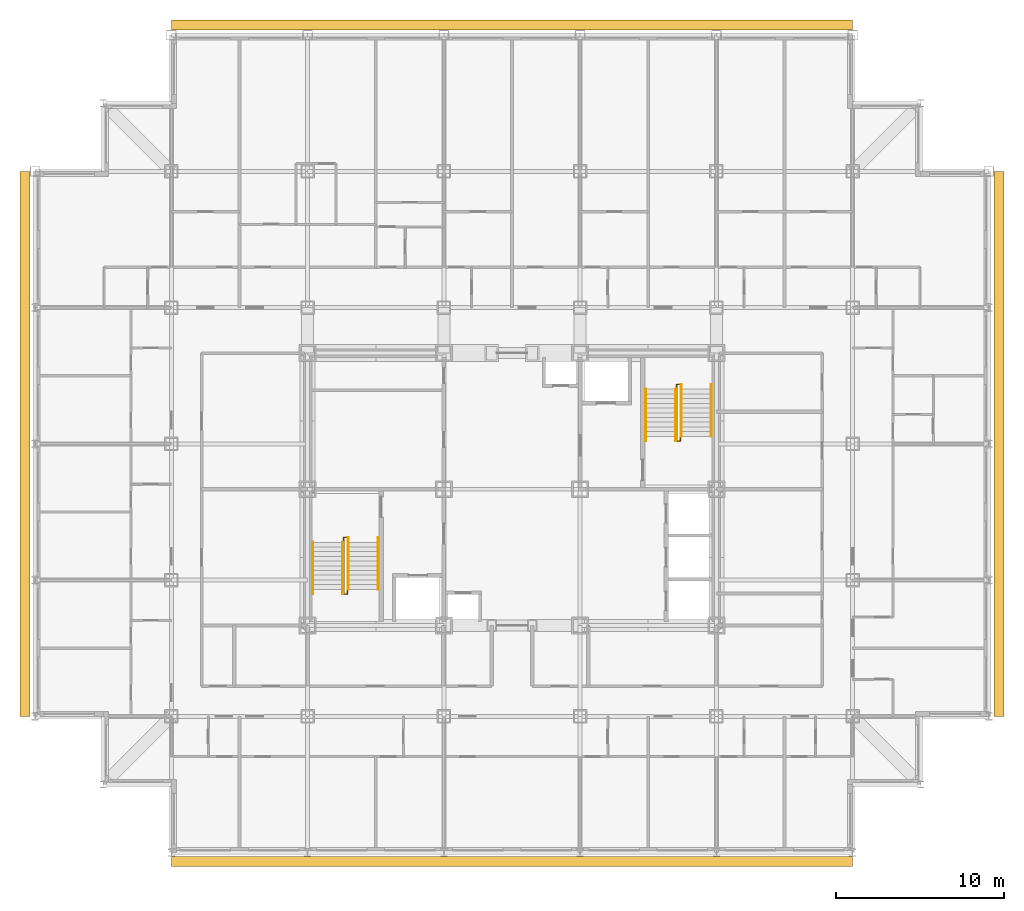
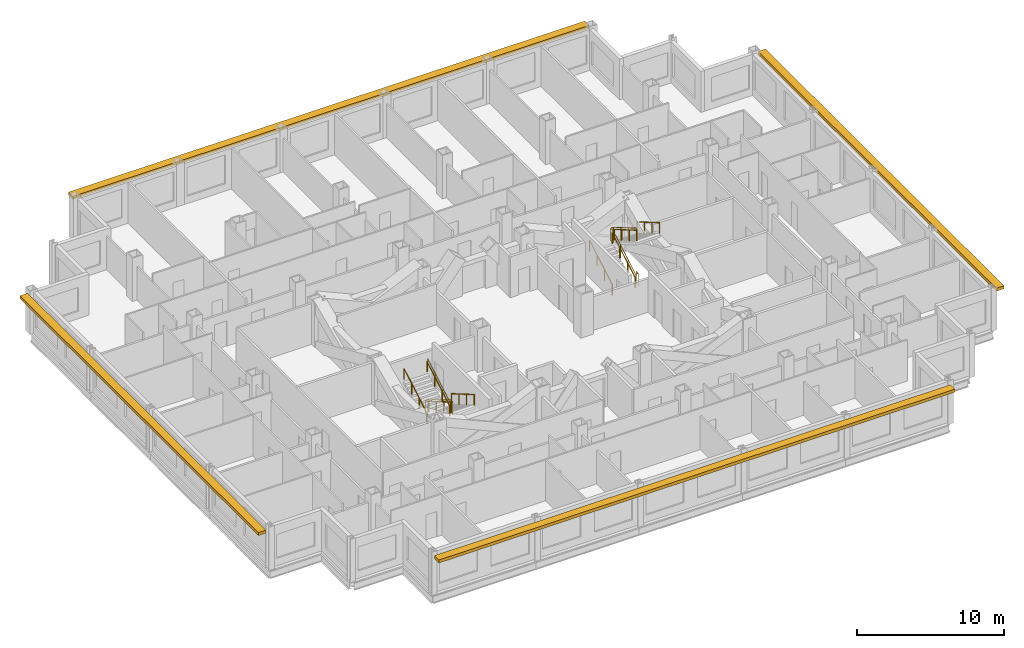
# One storey, part 12 of 12: 10 railings, 4 shading devices.
"""IFC4 building model written with IfcOpenShell, lengths in metres."""

import ifcopenshell
import ifcopenshell.guid

model = None  # the IFC model being written
_history = None  # IfcOwnerHistory: only IFC2X3 demands one
_inside = {}  # id of a spatial element -> (the spatial element, [elements in it])
_under = {}  # id of a project, library or spatial element -> (it, [spatial elements below it])
_declared = {}  # id of a project -> (the project, [libraries it declares])
_typed = {}  # id of a type object -> (the type object, [elements of that type])
_made_of = {}  # id of a material, layer set ... -> (it, [elements and type objects made of it])


def new_model(schema):
    """Start an empty IFC model of exactly this schema.

    Asked for "IFC4X3", IfcOpenShell would pick the latest addendum, in which some entities
    have other attributes; the version numbers below select the first issue.
    IFC2X3 requires an IfcOwnerHistory on every rooted entity: one is made here for all.
    """
    global model, _history
    if schema == "IFC4X3":
        model = ifcopenshell.file(schema_version=(4, 3, 0, 0))
    else:
        model = ifcopenshell.file(schema=schema)
    _inside.clear()
    _under.clear()
    _declared.clear()
    _typed.clear()
    _made_of.clear()
    _history = None
    if model.schema == "IFC2X3":
        org = make("IfcOrganization", Name="unknown")
        user = make(
            "IfcPersonAndOrganization",
            ThePerson=make("IfcPerson", FamilyName="unknown"),
            TheOrganization=org,
        )
        app = make(
            "IfcApplication",
            ApplicationDeveloper=org,
            Version="unknown",
            ApplicationFullName="unknown",
            ApplicationIdentifier="unknown",
        )
        _history = make(
            "IfcOwnerHistory",
            OwningUser=user,
            OwningApplication=app,
            ChangeAction="ADDED",
            CreationDate=0,
        )
    return model


def make(cls, **values):
    """One entity of the class cls with the attributes given. An attribute that is None is left unset."""
    return model.create_entity(
        cls, **{name: value for name, value in values.items() if value is not None}
    )


def rooted(cls, **values):
    """An entity with a GlobalId (a new one), such as an element, a storey or a relation."""
    return make(cls, GlobalId=ifcopenshell.guid.new(), OwnerHistory=_history, **values)


def si_unit(unit_type, name, prefix=None):
    """IfcSIUnit, for example si_unit("LENGTHUNIT", "METRE", prefix="MILLI")."""
    return make("IfcSIUnit", UnitType=unit_type, Prefix=prefix, Name=name)


def assignment(units):
    """IfcUnitAssignment: the units of a project."""
    return None if units is None else make("IfcUnitAssignment", Units=units)


def point(xyz):
    """IfcCartesianPoint."""
    return None if xyz is None else make("IfcCartesianPoint", Coordinates=xyz)


def direction(xyz):
    """IfcDirection."""
    return None if xyz is None else make("IfcDirection", DirectionRatios=xyz)


def frame(location, z_axis=None, x_axis=None):
    """IfcAxis2Placement3D, a coordinate frame: its origin and axes. An axis left out is left unset."""
    return make(
        "IfcAxis2Placement3D",
        Location=point(location),
        Axis=direction(z_axis),
        RefDirection=direction(x_axis),
    )


def frame_2d(location, x_axis=None):
    """IfcAxis2Placement2D, a coordinate frame in the plane: its origin and x axis."""
    return make(
        "IfcAxis2Placement2D", Location=point(location), RefDirection=direction(x_axis)
    )


def origin():
    """The frame at (0, 0, 0) with its axes left unset."""
    return frame((0.0, 0.0, 0.0))


def origin_2d():
    """The frame at (0, 0) in the plane with its x axis left unset."""
    return frame_2d((0.0, 0.0))


def place(relative_to, where):
    """IfcLocalPlacement: puts the frame where relative to a parent placement (None: the world)."""
    return make(
        "IfcLocalPlacement", PlacementRelTo=relative_to, RelativePlacement=where
    )


def context(
    kind, dimensions, precision=None, world=None, true_north=None, identifier=None
):
    """IfcGeometricRepresentationContext, for example the 3D "Model" context."""
    return make(
        "IfcGeometricRepresentationContext",
        ContextIdentifier=identifier,
        ContextType=kind,
        CoordinateSpaceDimension=dimensions,
        Precision=precision,
        WorldCoordinateSystem=world,
        TrueNorth=true_north,
    )


def subcontext(parent, identifier, kind, view, scale=None):
    """IfcGeometricRepresentationSubContext, for example "Body" below "Model"."""
    return make(
        "IfcGeometricRepresentationSubContext",
        ContextIdentifier=identifier,
        ContextType=kind,
        ParentContext=parent,
        TargetScale=scale,
        TargetView=view,
    )


def project(units=None, contexts=None):
    """IfcProject with its units and contexts."""
    return rooted(
        "IfcProject",
        Name="project",
        RepresentationContexts=contexts,
        UnitsInContext=assignment(units),
    )


def spatial(cls, under=None, at=None, **own):
    """A site, building, storey or space (cls), placed at a placement, below another one or the project."""
    s = rooted(cls, ObjectPlacement=at, **own)
    if under is not None:
        _under.setdefault(under.id(), (under, []))[1].append(s)
    return s


def profile(cls, at=None, kind="AREA", **sizes):
    """A parametric profile (cls). Its sizes go by their IFC names, for example OverallWidth=200.0."""
    return make(cls, ProfileType=kind, Position=at, **sizes)


def rectangle(**sizes):
    """IfcRectangleProfileDef."""
    return profile("IfcRectangleProfileDef", **sizes)


def circle(**sizes):
    """IfcCircleProfileDef."""
    return profile("IfcCircleProfileDef", **sizes)


def extrude(swept, where, along, depth):
    """IfcExtrudedAreaSolid: the profile swept, set in the frame where, extruded along a direction by depth."""
    return make(
        "IfcExtrudedAreaSolid",
        SweptArea=swept,
        Position=where,
        ExtrudedDirection=direction(along),
        Depth=depth,
    )


def shape(context_of_items, identifier, shape_type, items):
    """IfcShapeRepresentation: the items that make up one representation, for example the "Body"."""
    return make(
        "IfcShapeRepresentation",
        ContextOfItems=context_of_items,
        RepresentationIdentifier=identifier,
        RepresentationType=shape_type,
        Items=items,
    )


def material(Name=None, Category=None):
    """IfcMaterial."""
    return make("IfcMaterial", Name=Name, Category=Category)


def made_of(thing, what):
    """Note that an element or type object is made of a material, layer set ...; save() writes the relation."""
    if what is not None:
        _made_of.setdefault(what.id(), (what, []))[1].append(thing)
    return thing


def type_object(cls, material=None, **own):
    """A type object (cls), such as IfcWallType, which elements share."""
    return made_of(rooted(cls, **own), material)


def element(
    cls,
    number,
    at=None,
    inside=None,
    cuts=None,
    type_object=None,
    material=None,
    context=None,
    identifier="Body",
    shape_type=None,
    held_by="IfcProductDefinitionShape",
    body=None,
    shapes=None,
    **own,
):
    """One element of the class cls, such as IfcWall. Its Tag is "e" and its number.

    at: its placement. inside: the storey or other place that contains it. cuts: it is an
    opening in that element (IfcRelVoidsElement). A single representation is given by context,
    identifier, shape_type and body (its items); several are given by shapes. held_by: the class
    of the entity that holds the representations. save() writes the other relations.
    """
    e = rooted(cls, Tag="e%d" % number, ObjectPlacement=at, **own)
    if body is not None:
        shapes = [shape(context, identifier, shape_type, body)]
    if shapes is not None:
        e.Representation = make(held_by, Representations=shapes)
    if inside is not None:
        _inside.setdefault(inside.id(), (inside, []))[1].append(e)
    if cuts is not None:
        rooted(
            "IfcRelVoidsElement", RelatingBuildingElement=cuts, RelatedOpeningElement=e
        )
    if type_object is not None:
        _typed.setdefault(type_object.id(), (type_object, []))[1].append(e)
    return made_of(e, material)


def aggregate(whole, parts):
    """IfcRelAggregates: a whole, such as a stair, and the parts it consists of."""
    return rooted("IfcRelAggregates", RelatingObject=whole, RelatedObjects=parts)


def save(model, path):
    """Write the relations noted so far, then the file.

    IfcRelAggregates (storeys below a building ...), IfcRelContainedInSpatialStructure (elements
    in a storey), IfcRelDefinesByType, IfcRelAssociatesMaterial and IfcRelDeclares: one each for
    every whole, place, type object, material and project.
    """
    for whole, parts in _under.values():
        aggregate(whole, parts)
    for where, things in _inside.values():
        rooted(
            "IfcRelContainedInSpatialStructure",
            RelatedElements=things,
            RelatingStructure=where,
        )
    for kind, things in _typed.values():
        rooted("IfcRelDefinesByType", RelatedObjects=things, RelatingType=kind)
    for what, things in _made_of.values():
        rooted("IfcRelAssociatesMaterial", RelatedObjects=things, RelatingMaterial=what)
    for by, libraries in _declared.values():
        rooted("IfcRelDeclares", RelatingContext=by, RelatedDefinitions=libraries)
    model.write(path)


model = new_model("IFC4")

# Units and contexts
model_context = context("Model", 3, precision=1e-05, world=origin(), true_north=direction((0.0, 1.0)))
body_context = subcontext(model_context, "Body", "Model", "MODEL_VIEW")
ifc_project = project(units=[si_unit("LENGTHUNIT", "METRE"), si_unit("AREAUNIT", "SQUARE_METRE"), si_unit("VOLUMEUNIT", "CUBIC_METRE"), si_unit("PLANEANGLEUNIT", "RADIAN"), si_unit("MASSUNIT", "GRAM", prefix="KILO")], contexts=[model_context])

# Site, building, storey
site_placement = place(None, origin())
site = spatial("IfcSite", under=ifc_project, at=site_placement, CompositionType="ELEMENT")
building_placement = place(site_placement, origin())
building = spatial("IfcBuilding", under=site, at=building_placement, Name="Kopane Lantern Tower", CompositionType="ELEMENT")
storey_placement = place(building_placement, frame((0.0, 0.0, 195.60009765625)))
storey = spatial("IfcBuildingStorey", under=building, at=storey_placement, Name="L50", CompositionType="ELEMENT", Elevation=195.60009765625)

# Railings
ifc_material_1 = material(Name="Steel", Category="steel")
railing_type_1 = type_object("IfcRailingType", Name="STAIR GUARD 1100", PredefinedType="GUARDRAIL", material=ifc_material_1)
railing_1_placement = place(storey_placement, frame((18.35009765625, 29.25, 0.0)))
element("IfcRailing", 1, at=railing_1_placement, inside=storey, type_object=railing_type_1, Name="ST1 well guard L50", PredefinedType="GUARDRAIL", context=body_context, shape_type="SweptSolid", body=[
    extrude(circle(Radius=0.02392578125, at=origin_2d()), frame((0.0, 0.0, 1.076171875), z_axis=(0.0, 1.0, 0.0), x_axis=(-1.0, 0.0, 0.0)), (0.0, 0.0, 1.0), 0.280029296875),
    extrude(circle(Radius=0.02392578125, at=origin_2d()), frame((0.0, 0.280029296875, 1.076171875), z_axis=(1.0, 0.0, 0.0), x_axis=(0.0, 1.0, 0.0)), (0.0, 0.0, 1.0), 0.199951171875),
    extrude(circle(Radius=0.02392578125, at=origin_2d()), frame((0.199951171875, 0.280029296875, 1.076171875), z_axis=(0.0, -0.863401368682, 0.504517667242), x_axis=(1.0, 0.0, 0.0)), (0.0, 0.0, 1.0), 3.5673828125),
    extrude(circle(Radius=0.02392578125, at=origin_2d()), frame((0.199951171875, -2.800048828125, 2.8759765625), z_axis=(0.0, -1.0, 0.0), x_axis=(1.0, 0.0, 0.0)), (0.0, 0.0, 1.0), 0.280029296875),
    extrude(circle(Radius=0.02392578125, at=origin_2d()), frame((0.199951171875, -3.080078125, 2.8759765625), z_axis=(-1.0, 0.0, 0.0), x_axis=(0.0, -1.0, 0.0)), (0.0, 0.0, 1.0), 0.199951171875),
    extrude(circle(Radius=0.02392578125, at=origin_2d()), frame((0.0, -3.080078125, 2.8759765625), z_axis=(0.0, 0.863371556955, 0.504568681787), x_axis=(-1.0, 0.0, 0.0)), (0.0, 0.0, 1.0), 3.5673828125),
    extrude(circle(Radius=0.02099609375, at=origin_2d()), origin(), (0.0, 0.0, 1.0), 1.052001953125),
    extrude(circle(Radius=0.02099609375, at=origin_2d()), frame((0.0, 0.280029296875, 0.0)), (0.0, 0.0, 1.0), 1.052001953125),
    extrude(circle(Radius=0.02099609375, at=origin_2d()), frame((0.199951171875, 0.280029296875, 0.0)), (0.0, 0.0, 1.0), 1.052001953125),
    extrude(circle(Radius=0.02099609375, at=origin_2d()), frame((0.199951171875, -0.74658203125, 0.599853515625)), (0.0, 0.0, 1.0), 1.052001953125),
    extrude(circle(Radius=0.02099609375, at=origin_2d()), frame((0.199951171875, -1.7734375, 1.199951171875)), (0.0, 0.0, 1.0), 1.052001953125),
    extrude(circle(Radius=0.02099609375, at=origin_2d()), frame((0.199951171875, -2.800048828125, 1.7998046875)), (0.0, 0.0, 1.0), 1.052001953125),
    extrude(circle(Radius=0.02099609375, at=origin_2d()), frame((0.199951171875, -3.080078125, 1.7998046875)), (0.0, 0.0, 1.0), 1.052001953125),
    extrude(circle(Radius=0.02099609375, at=origin_2d()), frame((0.0, -3.080078125, 1.7998046875)), (0.0, 0.0, 1.0), 1.052001953125),
    extrude(circle(Radius=0.02099609375, at=origin_2d()), frame((0.0, -2.053466796875, 2.39990234375)), (0.0, 0.0, 1.0), 1.052001953125),
    extrude(circle(Radius=0.02099609375, at=origin_2d()), frame((0.0, -1.026611328125, 2.999755859375)), (0.0, 0.0, 1.0), 1.052001953125),
    extrude(circle(Radius=0.02099609375, at=origin_2d()), frame((0.0, 0.0, 3.599853515625)), (0.0, 0.0, 1.0), 1.052001953125),
])
railing_2_placement = place(storey_placement, frame((38.35009765625, 35.550048828125, 0.0)))
element("IfcRailing", 2, at=railing_2_placement, inside=storey, type_object=railing_type_1, Name="ST2 well guard L50", PredefinedType="GUARDRAIL", context=body_context, shape_type="SweptSolid", body=[
    extrude(circle(Radius=0.02392578125, at=origin_2d()), frame((0.0, 0.0, 1.076171875), z_axis=(0.0, -1.0, 0.0), x_axis=(1.0, 0.0, 0.0)), (0.0, 0.0, 1.0), 0.280029296875),
    extrude(circle(Radius=0.02392578125, at=origin_2d()), frame((0.0, -0.280029296875, 1.076171875), z_axis=(-1.0, 0.0, 0.0), x_axis=(0.0, -1.0, 0.0)), (0.0, 0.0, 1.0), 0.2001953125),
    extrude(circle(Radius=0.02392578125, at=origin_2d()), frame((-0.2001953125, -0.280029296875, 1.076171875), z_axis=(0.0, 0.863401368682, 0.504517667242), x_axis=(-1.0, 0.0, 0.0)), (0.0, 0.0, 1.0), 3.5673828125),
    extrude(circle(Radius=0.02392578125, at=origin_2d()), frame((-0.2001953125, 2.800048828125, 2.8759765625), z_axis=(0.0, 1.0, 0.0), x_axis=(-1.0, 0.0, 0.0)), (0.0, 0.0, 1.0), 0.27978515625),
    extrude(circle(Radius=0.02392578125, at=origin_2d()), frame((-0.2001953125, 3.079833984375, 2.8759765625), z_axis=(1.0, 0.0, 0.0), x_axis=(0.0, 1.0, 0.0)), (0.0, 0.0, 1.0), 0.2001953125),
    extrude(circle(Radius=0.02392578125, at=origin_2d()), frame((0.0, 3.079833984375, 2.8759765625), z_axis=(0.0, -0.863354132664, 0.504598495452), x_axis=(1.0, 0.0, 0.0)), (0.0, 0.0, 1.0), 3.5673828125),
    extrude(circle(Radius=0.02099609375, at=origin_2d()), origin(), (0.0, 0.0, 1.0), 1.052001953125),
    extrude(circle(Radius=0.02099609375, at=origin_2d()), frame((0.0, -0.280029296875, 0.0)), (0.0, 0.0, 1.0), 1.052001953125),
    extrude(circle(Radius=0.02099609375, at=origin_2d()), frame((-0.2001953125, -0.280029296875, 0.0)), (0.0, 0.0, 1.0), 1.052001953125),
    extrude(circle(Radius=0.02099609375, at=origin_2d()), frame((-0.2001953125, 0.74658203125, 0.599853515625)), (0.0, 0.0, 1.0), 1.052001953125),
    extrude(circle(Radius=0.02099609375, at=origin_2d()), frame((-0.2001953125, 1.7734375, 1.199951171875)), (0.0, 0.0, 1.0), 1.052001953125),
    extrude(circle(Radius=0.02099609375, at=origin_2d()), frame((-0.2001953125, 2.800048828125, 1.7998046875)), (0.0, 0.0, 1.0), 1.052001953125),
    extrude(circle(Radius=0.02099609375, at=origin_2d()), frame((-0.2001953125, 3.079833984375, 1.7998046875)), (0.0, 0.0, 1.0), 1.052001953125),
    extrude(circle(Radius=0.02099609375, at=origin_2d()), frame((0.0, 3.079833984375, 1.7998046875)), (0.0, 0.0, 1.0), 1.052001953125),
    extrude(circle(Radius=0.02099609375, at=origin_2d()), frame((0.0, 2.05322265625, 2.39990234375)), (0.0, 0.0, 1.0), 1.052001953125),
    extrude(circle(Radius=0.02099609375, at=origin_2d()), frame((0.0, 1.026611328125, 2.999755859375)), (0.0, 0.0, 1.0), 1.052001953125),
    extrude(circle(Radius=0.02099609375, at=origin_2d()), frame((0.0, 0.0, 3.599853515625)), (0.0, 0.0, 1.0), 1.052001953125),
])
ifc_material_2 = material(Name="Steel", Category="steel")
railing_type_2 = type_object("IfcRailingType", Name="STAIR HANDRAIL 900", PredefinedType="HANDRAIL", material=ifc_material_2)
for number, where, name in (
    (3, (20.389892578125, 29.530029296875, 0.0), "ST1 handrail L50 flight 1"),
    (4, (18.610107421875, 29.530029296875, 0.0), "ST1 handrail L50 flight 1"),
):
    element("IfcRailing", number, at=place(storey_placement, frame(where)), inside=storey, type_object=railing_type_2, Name=name, PredefinedType="HANDRAIL", context=body_context, shape_type="SweptSolid", body=[
        extrude(circle(Radius=0.02392578125, at=origin_2d()), frame((0.0, 0.0, 0.8759765625), z_axis=(0.0, -0.863401368682, 0.504517667242), x_axis=(1.0, 0.0, 0.0)), (0.0, 0.0, 1.0), 3.5673828125),
        extrude(circle(Radius=0.02099609375, at=origin_2d()), origin(), (0.0, 0.0, 1.0), 0.851806640625),
        extrude(circle(Radius=0.02099609375, at=origin_2d()), frame((0.0, -1.026611328125, 0.599853515625)), (0.0, 0.0, 1.0), 0.851806640625),
        extrude(circle(Radius=0.02099609375, at=origin_2d()), frame((0.0, -2.053466796875, 1.199951171875)), (0.0, 0.0, 1.0), 0.851806640625),
        extrude(circle(Radius=0.02099609375, at=origin_2d()), frame((0.0, -3.080078125, 1.7998046875)), (0.0, 0.0, 1.0), 0.851806640625),
    ])
for number, where, name in (
    (5, (16.510009765625, 26.169921875, 1.7998046875), "ST1 handrail L50 flight 2"),
    (6, (18.2900390625, 26.169921875, 1.7998046875), "ST1 handrail L50 flight 2"),
):
    element("IfcRailing", number, at=place(storey_placement, frame(where)), inside=storey, type_object=railing_type_2, Name=name, PredefinedType="HANDRAIL", context=body_context, shape_type="SweptSolid", body=[
        extrude(circle(Radius=0.02392578125, at=origin_2d()), frame((0.0, 0.0, 0.8759765625), z_axis=(0.0, 0.863371556955, 0.504568681787), x_axis=(-1.0, 0.0, 0.0)), (0.0, 0.0, 1.0), 3.5673828125),
        extrude(circle(Radius=0.02099609375, at=origin_2d()), origin(), (0.0, 0.0, 1.0), 0.851806640625),
        extrude(circle(Radius=0.02099609375, at=origin_2d()), frame((0.0, 1.026611328125, 0.60009765625)), (0.0, 0.0, 1.0), 0.851806640625),
        extrude(circle(Radius=0.02099609375, at=origin_2d()), frame((0.0, 2.053466796875, 1.199951171875)), (0.0, 0.0, 1.0), 0.851806640625),
        extrude(circle(Radius=0.02099609375, at=origin_2d()), frame((0.0, 3.080078125, 1.800048828125)), (0.0, 0.0, 1.0), 0.851806640625),
    ])
for number, where, name in (
    (7, (36.31005859375, 35.27001953125, 0.0), "ST2 handrail L50 flight 1"),
    (8, (38.090087890625, 35.27001953125, 0.0), "ST2 handrail L50 flight 1"),
):
    element("IfcRailing", number, at=place(storey_placement, frame(where)), inside=storey, type_object=railing_type_2, Name=name, PredefinedType="HANDRAIL", context=body_context, shape_type="SweptSolid", body=[
        extrude(circle(Radius=0.02392578125, at=origin_2d()), frame((0.0, 0.0, 0.8759765625), z_axis=(0.0, 0.863401368682, 0.504517667242), x_axis=(-1.0, 0.0, 0.0)), (0.0, 0.0, 1.0), 3.5673828125),
        extrude(circle(Radius=0.02099609375, at=origin_2d()), origin(), (0.0, 0.0, 1.0), 0.851806640625),
        extrude(circle(Radius=0.02099609375, at=origin_2d()), frame((0.0, 1.026611328125, 0.599853515625)), (0.0, 0.0, 1.0), 0.851806640625),
        extrude(circle(Radius=0.02099609375, at=origin_2d()), frame((0.0, 2.053466796875, 1.199951171875)), (0.0, 0.0, 1.0), 0.851806640625),
        extrude(circle(Radius=0.02099609375, at=origin_2d()), frame((0.0, 3.080078125, 1.7998046875)), (0.0, 0.0, 1.0), 0.851806640625),
    ])
for number, where, name in (
    (9, (40.18994140625, 38.6298828125, 1.7998046875), "ST2 handrail L50 flight 2"),
    (10, (38.409912109375, 38.6298828125, 1.7998046875), "ST2 handrail L50 flight 2"),
):
    element("IfcRailing", number, at=place(storey_placement, frame(where)), inside=storey, type_object=railing_type_2, Name=name, PredefinedType="HANDRAIL", context=body_context, shape_type="SweptSolid", body=[
        extrude(circle(Radius=0.02392578125, at=origin_2d()), frame((0.0, 0.0, 0.8759765625), z_axis=(0.0, -0.863354132664, 0.504598495452), x_axis=(1.0, 0.0, 0.0)), (0.0, 0.0, 1.0), 3.5673828125),
        extrude(circle(Radius=0.02099609375, at=origin_2d()), origin(), (0.0, 0.0, 1.0), 0.851806640625),
        extrude(circle(Radius=0.02099609375, at=origin_2d()), frame((0.0, -1.026611328125, 0.60009765625)), (0.0, 0.0, 1.0), 0.851806640625),
        extrude(circle(Radius=0.02099609375, at=origin_2d()), frame((0.0, -2.05322265625, 1.199951171875)), (0.0, 0.0, 1.0), 0.851806640625),
        extrude(circle(Radius=0.02099609375, at=origin_2d()), frame((0.0, -3.079833984375, 1.800048828125)), (0.0, 0.0, 1.0), 0.851806640625),
    ])

# Shading devices
ifc_material_3 = material(Name="Terracotta rainscreen on light steel framing", Category="masonry")
shading_device_type = type_object("IfcShadingDeviceType", Name="SUNSHADE BAND SB1 600 TERRACOTTA", PredefinedType="USERDEFINED", material=ifc_material_3)
shading_device_1_placement = place(storey_placement, frame((28.35009765625, 10.2626953125, 3.0), z_axis=(0.0, 0.0, 1.0), x_axis=(1.0, 0.0, 0.0)))
element("IfcShadingDevice", 11, at=shading_device_1_placement, inside=storey, type_object=shading_device_type, Name="Sunshade band S L50", ObjectType="SUNSHADE BAND", PredefinedType="USERDEFINED", context=body_context, shape_type="SweptSolid", body=[
    extrude(rectangle(XDim=40.5, YDim=0.60009765625, at=origin_2d()), origin(), (0.0, 0.0, 1.0), 0.25),
])
shading_device_2_placement = place(storey_placement, frame((57.300048828125, 35.10009765625, 3.0), z_axis=(0.0, 0.0, 1.0), x_axis=(0.0, 1.0, 0.0)))
element("IfcShadingDevice", 12, at=shading_device_2_placement, inside=storey, type_object=shading_device_type, Name="Sunshade band E L50", ObjectType="SUNSHADE BAND", PredefinedType="USERDEFINED", context=body_context, shape_type="SweptSolid", body=[
    extrude(rectangle(XDim=32.39990234375, YDim=0.60009765625, at=origin_2d()), origin(), (0.0, 0.0, 1.0), 0.25),
])
shading_device_3_placement = place(storey_placement, frame((28.35009765625, 60.0, 3.0), z_axis=(0.0, 0.0, 1.0), x_axis=(-1.0, 0.0, 0.0)))
element("IfcShadingDevice", 13, at=shading_device_3_placement, inside=storey, type_object=shading_device_type, Name="Sunshade band N L50", ObjectType="SUNSHADE BAND", PredefinedType="USERDEFINED", context=body_context, shape_type="SweptSolid", body=[
    extrude(rectangle(XDim=40.5, YDim=0.60009765625, at=origin_2d()), origin(), (0.0, 0.0, 1.0), 0.25),
])
shading_device_4_placement = place(storey_placement, frame((-0.60009765625, 35.10009765625, 3.0), z_axis=(0.0, 0.0, 1.0), x_axis=(0.0, -1.0, 0.0)))
element("IfcShadingDevice", 14, at=shading_device_4_placement, inside=storey, type_object=shading_device_type, Name="Sunshade band W L50", ObjectType="SUNSHADE BAND", PredefinedType="USERDEFINED", context=body_context, shape_type="SweptSolid", body=[
    extrude(rectangle(XDim=32.39990234375, YDim=0.60009765625, at=origin_2d()), origin(), (0.0, 0.0, 1.0), 0.25),
])

save(model, "model.ifc")
